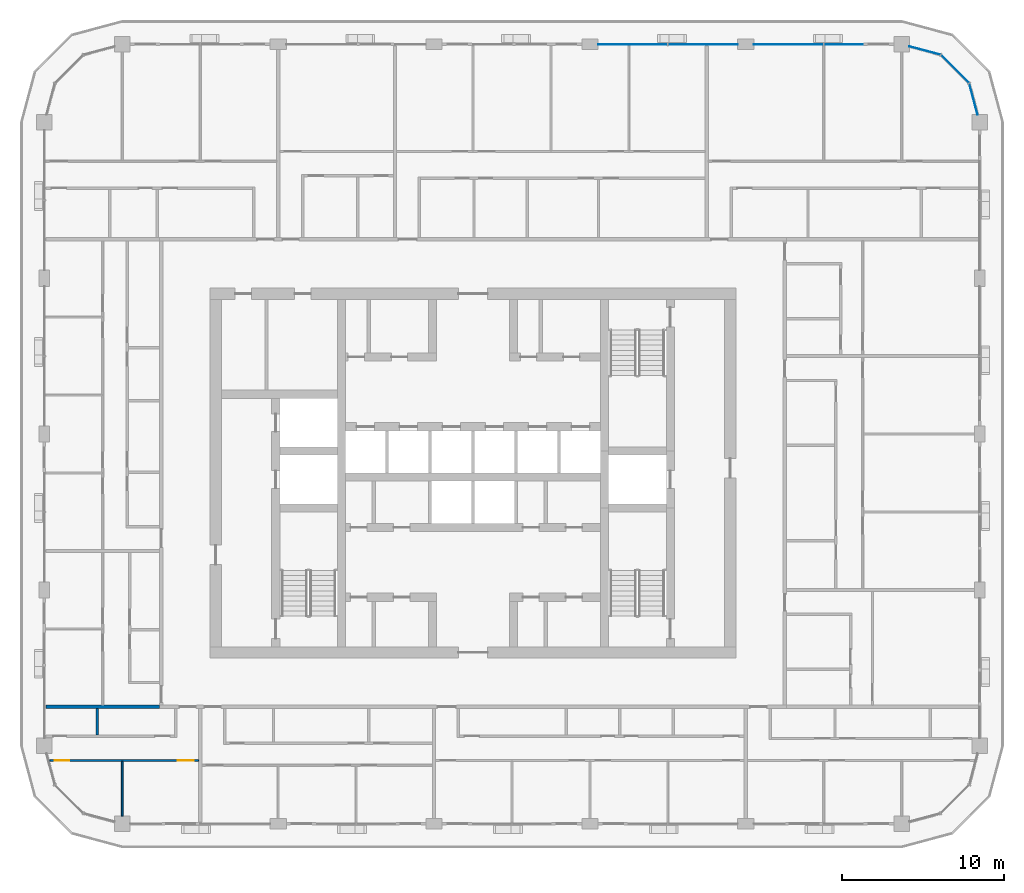
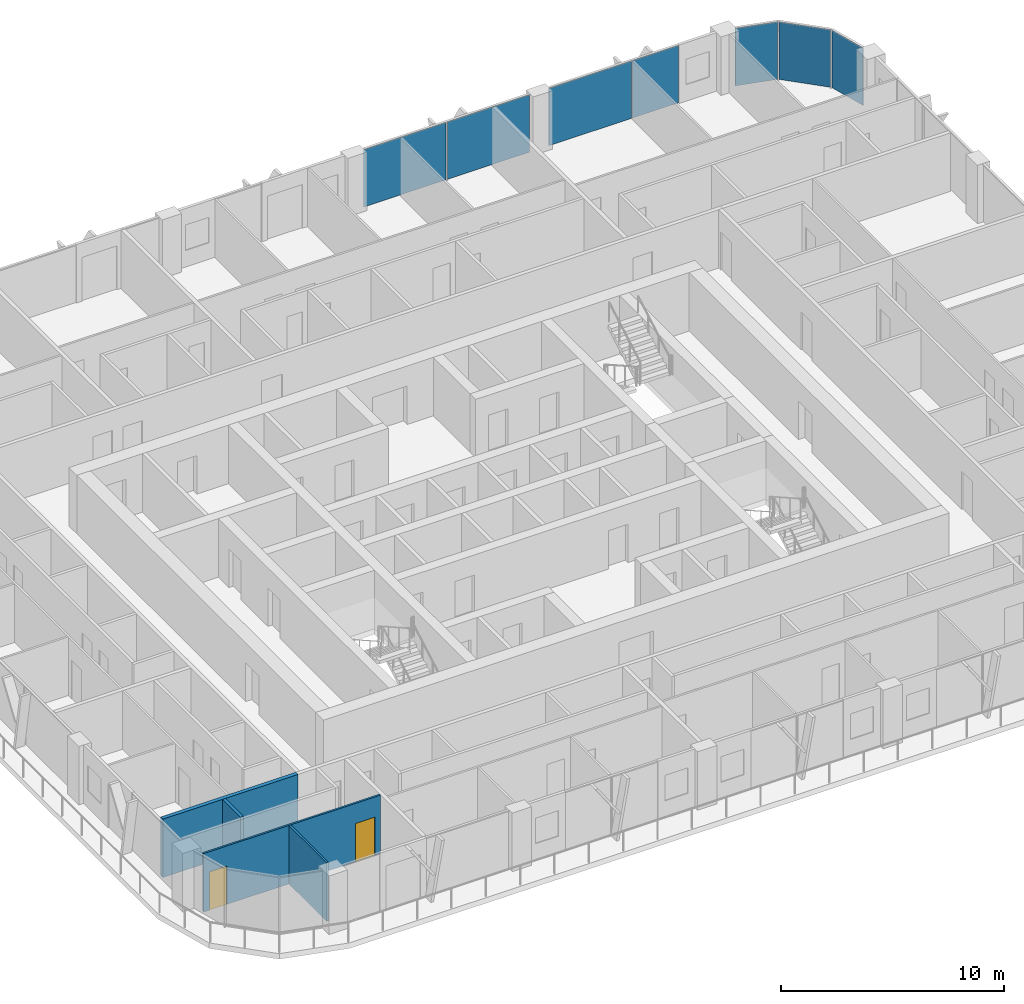
# One storey, part 8 of 23: 7 plates, 4 walls, 2 doors, 2 openings, 3 elements without a shape of their own.
"""IFC4 building model written with IfcOpenShell, lengths in metres."""

from ifc_helpers import new_model, si_unit, direction, frame, frame_2d, origin, origin_2d, place, context, subcontext, project, spatial, rectangle, extrude, material, layer, layer_set, type_object, element, fill, aggregate, save


model = new_model("IFC4")

# Units and contexts
model_context = context("Model", 3, precision=1e-05, world=origin(), true_north=direction((0.0, 1.0)))
body_context = subcontext(model_context, "Body", "Model", "MODEL_VIEW")
ifc_project = project(units=[si_unit("LENGTHUNIT", "METRE"), si_unit("AREAUNIT", "SQUARE_METRE"), si_unit("VOLUMEUNIT", "CUBIC_METRE"), si_unit("PLANEANGLEUNIT", "RADIAN"), si_unit("MASSUNIT", "GRAM", prefix="KILO")], contexts=[model_context])

# Site, building, storey
site_placement = place(None, origin())
site = spatial("IfcSite", under=ifc_project, at=site_placement, CompositionType="ELEMENT")
building_placement = place(site_placement, origin())
building = spatial("IfcBuilding", under=site, at=building_placement, Name="Madar Terraces", CompositionType="ELEMENT")
storey_placement = place(building_placement, frame((0.0, 0.0, 222.800048828125)))
storey = spatial("IfcBuildingStorey", under=building, at=storey_placement, Name="L58", CompositionType="ELEMENT", Elevation=222.800048828125)

# Curtain wall, plates
ifc_material_1 = material(Name="Glass, ceramic frit dark grey, with black aluminium frame", Category="aluminium")
ifc_layer_1 = layer(ifc_material_1, 0.199951171875)
ifc_layer_set_1 = layer_set([ifc_layer_1], Name="Facade curtain wall, fritted glass")
curtain_wall_type = type_object("IfcCurtainWallType", Name="Facade curtain wall, fritted glass", PredefinedType="NOTDEFINED", material=ifc_layer_set_1)
curtain_wall_1_placement = place(storey_placement, origin())
curtain_wall_1 = element("IfcCurtainWall", 1, at=curtain_wall_1_placement, inside=storey, type_object=curtain_wall_type, Name="Outer skin curtain wall north bay 1", PredefinedType="NOTDEFINED")
ifc_material_2 = material(Name="Glass, ceramic frit dark grey", Category="glass")
ifc_layer_2 = layer(ifc_material_2, 0.028076171875)
ifc_layer_set_2 = layer_set([ifc_layer_2], Name="Facade glass panel 28")
plate_type = type_object("IfcPlateType", Name="Facade glass panel 28", PredefinedType="CURTAIN_PANEL", material=ifc_layer_set_2)
plate_1_placement = place(storey_placement, frame((54.014892578125, 52.800048828125, 0.0), z_axis=(0.0, 0.0, 1.0), x_axis=(-1.0, 0.0, 0.0)))
plate_1 = element("IfcPlate", 2, at=plate_1_placement, type_object=plate_type, Name="Panel 1", PredefinedType="CURTAIN_PANEL", context=body_context, shape_type="SweptSolid", body=[
    extrude(rectangle(XDim=2.3701171875, YDim=0.028076171875, at=origin_2d()), origin(), (0.0, 0.0, 1.0), 3.139892578125),
])
plate_2_placement = place(storey_placement, frame((50.635009765625, 52.800048828125, 0.0), z_axis=(0.0, 0.0, 1.0), x_axis=(-1.0, 0.0, 0.0)))
plate_2 = element("IfcPlate", 3, at=plate_2_placement, type_object=plate_type, Name="Panel 2", PredefinedType="CURTAIN_PANEL", context=body_context, shape_type="SweptSolid", body=[
    extrude(rectangle(XDim=4.27001953125, YDim=0.028076171875, at=origin_2d()), origin(), (0.0, 0.0, 1.0), 3.139892578125),
])
aggregate(curtain_wall_1, [plate_1, plate_2])

curtain_wall_2_placement = place(storey_placement, origin())
curtain_wall_2 = element("IfcCurtainWall", 4, at=curtain_wall_2_placement, inside=storey, type_object=curtain_wall_type, Name="Outer skin curtain wall north bay 2", PredefinedType="NOTDEFINED")
plate_3_placement = place(storey_placement, frame((45.364990234375, 52.800048828125, 0.0), z_axis=(0.0, 0.0, 1.0), x_axis=(-1.0, 0.0, 0.0)))
plate_3 = element("IfcPlate", 5, at=plate_3_placement, type_object=plate_type, Name="Panel 1", PredefinedType="CURTAIN_PANEL", context=body_context, shape_type="SweptSolid", body=[
    extrude(rectangle(XDim=4.27001953125, YDim=0.028076171875, at=origin_2d()), origin(), (0.0, 0.0, 1.0), 3.139892578125),
])
plate_4_placement = place(storey_placement, frame((41.034912109375, 52.800048828125, 0.0), z_axis=(0.0, 0.0, 1.0), x_axis=(-1.0, 0.0, 0.0)))
plate_4 = element("IfcPlate", 6, at=plate_4_placement, type_object=plate_type, Name="Panel 2", PredefinedType="CURTAIN_PANEL", context=body_context, shape_type="SweptSolid", body=[
    extrude(rectangle(XDim=4.27001953125, YDim=0.028076171875, at=origin_2d()), origin(), (0.0, 0.0, 1.0), 3.139892578125),
])
aggregate(curtain_wall_2, [plate_3, plate_4])

curtain_wall_3_placement = place(storey_placement, origin())
curtain_wall_3 = element("IfcCurtainWall", 7, at=curtain_wall_3_placement, inside=storey, type_object=curtain_wall_type, Name="Outer skin curtain wall north-east corner", PredefinedType="NOTDEFINED")
plate_5_placement = place(storey_placement, frame((62.018798828125, 49.423095703125, 0.0), z_axis=(0.0, 0.0, 1.0), x_axis=(-0.258819021888, 0.965925832509, 0.0)))
plate_5 = element("IfcPlate", 8, at=plate_5_placement, type_object=plate_type, Name="Panel 1", PredefinedType="CURTAIN_PANEL", context=body_context, shape_type="SweptSolid", body=[
    extrude(rectangle(XDim=1.962890625, YDim=0.028076171875, at=origin_2d()), origin(), (0.0, 0.0, 1.0), 3.139892578125),
])
plate_6_placement = place(storey_placement, frame((60.87841796875, 51.278564453125, 0.0), z_axis=(0.0, 0.0, 1.0), x_axis=(-0.707106781187, 0.707106781187, 0.0)))
plate_6 = element("IfcPlate", 9, at=plate_6_placement, type_object=plate_type, Name="Panel 2", PredefinedType="CURTAIN_PANEL", context=body_context, shape_type="SweptSolid", body=[
    extrude(rectangle(XDim=2.424560546875, YDim=0.028076171875, at=origin_2d()), origin(), (0.0, 0.0, 1.0), 3.139892578125),
])
plate_7_placement = place(storey_placement, frame((59.02294921875, 52.418701171875, 0.0), z_axis=(0.0, 0.0, 1.0), x_axis=(-0.965925832509, 0.258819021888, 0.0)))
plate_7 = element("IfcPlate", 10, at=plate_7_placement, type_object=plate_type, Name="Panel 3", PredefinedType="CURTAIN_PANEL", context=body_context, shape_type="SweptSolid", body=[
    extrude(rectangle(XDim=1.962890625, YDim=0.028076171875, at=origin_2d()), origin(), (0.0, 0.0, 1.0), 3.139892578125),
])
aggregate(curtain_wall_3, [plate_5, plate_6, plate_7])

# Wall
ifc_material_3 = material(Name="Gypsum board on steel studs", Category="steel")
ifc_layer_3 = layer(ifc_material_3, 0.10009765625)
ifc_layer_set_3 = layer_set([ifc_layer_3], Name="Flat partition 100")
wall_type_1 = type_object("IfcWallType", Name="Flat partition 100", PredefinedType="PARTITIONING", material=ifc_layer_set_3)
wall_1_placement = place(storey_placement, frame((9.60009765625, 8.64990234375, 0.0), z_axis=(0.0, 0.0, 1.0), x_axis=(0.0, -1.0, 0.0)))
element("IfcWall", 11, at=wall_1_placement, inside=storey, type_object=wall_type_1, Name="Flat partition 100", PredefinedType="PARTITIONING", context=body_context, shape_type="SweptSolid", body=[
    extrude(rectangle(XDim=3.375, YDim=0.10009765625, at=frame_2d((1.6875, 0.0))), origin(), (0.0, 0.0, 1.0), 3.199951171875),
])

# Wall, openings, doors
wall_2_placement = place(storey_placement, frame((14.300048828125, 8.699951171875, 0.0), z_axis=(0.0, 0.0, 1.0), x_axis=(-1.0, 0.0, 0.0)))
wall_2 = element("IfcWall", 12, at=wall_2_placement, inside=storey, type_object=wall_type_1, Name="Flat partition 100", PredefinedType="PARTITIONING", context=body_context, shape_type="SweptSolid", body=[
    extrude(rectangle(XDim=9.158935546875, YDim=0.10009765625, at=frame_2d((4.57958984375, 0.0))), origin(), (0.0, 0.0, 1.0), 3.199951171875),
])
opening_1_placement = place(wall_2_placement, frame((0.300048828125, 0.0, 0.0)))
opening_1 = element("IfcOpeningElement", 13, at=opening_1_placement, cuts=wall_2, Name="Opening D3", PredefinedType="OPENING", context=body_context, shape_type="SweptSolid", body=[
    extrude(rectangle(XDim=1.0, YDim=2.10009765625, at=frame_2d((0.5, 1.050048828125))), frame((0.0, 0.06005859375, 0.0), z_axis=(0.0, -1.0, 0.0), x_axis=(1.0, 0.0, 0.0)), (0.0, 0.0, 1.0), 0.1201171875),
])
opening_2_placement = place(wall_2_placement, frame((7.958740234375, 0.0, 0.0)))
opening_2 = element("IfcOpeningElement", 14, at=opening_2_placement, cuts=wall_2, Name="Opening D2", PredefinedType="OPENING", context=body_context, shape_type="SweptSolid", body=[
    extrude(rectangle(XDim=0.89990234375, YDim=2.10009765625, at=frame_2d((0.449951171875, 1.050048828125))), frame((0.0, 0.06005859375, 0.0), z_axis=(0.0, -1.0, 0.0), x_axis=(1.0, 0.0, 0.0)), (0.0, 0.0, 1.0), 0.1201171875),
])
ifc_material_4 = material(Name="Timber door leaf", Category="wood")
door_type_1 = type_object("IfcDoorType", Name="Flat living room door 1000", OperationType="NOTDEFINED", PredefinedType="DOOR", material=ifc_material_4)
door_1_placement = place(opening_1_placement, origin())
door_1 = element("IfcDoor", 15, at=door_1_placement, inside=storey, type_object=door_type_1, Name="Flat living room door 1000", OperationType="SINGLE_SWING_LEFT", OverallHeight=2.10009765625, OverallWidth=1.0, PredefinedType="DOOR", context=body_context, shape_type="SweptSolid", body=[
    extrude(rectangle(XDim=1.0, YDim=2.10009765625, at=frame_2d((0.5, 1.050048828125))), frame((0.0, 0.02490234375, 0.0), z_axis=(0.0, -1.0, 0.0), x_axis=(1.0, 0.0, 0.0)), (0.0, 0.0, 1.0), 0.050048828125),
])
fill(opening_1, door_1)
ifc_material_5 = material(Name="Timber door leaf", Category="wood")
door_type_2 = type_object("IfcDoorType", Name="Flat room door 900", OperationType="NOTDEFINED", PredefinedType="DOOR", material=ifc_material_5)
door_2_placement = place(opening_2_placement, origin())
door_2 = element("IfcDoor", 16, at=door_2_placement, inside=storey, type_object=door_type_2, Name="Flat room door 900", OperationType="SINGLE_SWING_RIGHT", OverallHeight=2.10009765625, OverallWidth=0.89990234375, PredefinedType="DOOR", context=body_context, shape_type="SweptSolid", body=[
    extrude(rectangle(XDim=0.89990234375, YDim=2.10009765625, at=frame_2d((0.449951171875, 1.050048828125))), frame((0.0, 0.02490234375, 0.0), z_axis=(0.0, -1.0, 0.0), x_axis=(1.0, 0.0, 0.0)), (0.0, 0.0, 1.0), 0.050048828125),
])
fill(opening_2, door_2)

# Walls
ifc_material_6 = material(Name="Lightweight blockwork", Category="masonry")
ifc_layer_4 = layer(ifc_material_6, 0.199951171875)
ifc_layer_set_4 = layer_set([ifc_layer_4], Name="Flat party and entrance wall 200")
wall_type_2 = type_object("IfcWallType", Name="Flat party and entrance wall 200", PredefinedType="PARTITIONING", material=ifc_layer_set_4)
wall_3_placement = place(storey_placement, frame((4.89990234375, 12.0, 0.0), z_axis=(0.0, 0.0, 1.0), x_axis=(1.0, 0.0, 0.0)))
element("IfcWall", 17, at=wall_3_placement, inside=storey, type_object=wall_type_2, Name="Flat party and entrance wall 200", PredefinedType="PARTITIONING", context=body_context, shape_type="SweptSolid", body=[
    extrude(rectangle(XDim=7.0, YDim=0.199951171875, at=frame_2d((3.5, 0.0))), origin(), (0.0, 0.0, 1.0), 3.199951171875),
])
ifc_material_7 = material(Name="Lightweight blockwork", Category="masonry")
ifc_layer_5 = layer(ifc_material_7, 0.14990234375)
ifc_layer_set_5 = layer_set([ifc_layer_5], Name="Flat wet-room partition 150")
wall_type_3 = type_object("IfcWallType", Name="Flat wet-room partition 150", PredefinedType="PARTITIONING", material=ifc_layer_set_5)
wall_4_placement = place(storey_placement, frame((8.070068359375, 11.89990234375, 0.0), z_axis=(0.0, 0.0, 1.0), x_axis=(0.0, -1.0, 0.0)))
element("IfcWall", 18, at=wall_4_placement, inside=storey, type_object=wall_type_3, Name="Flat wet-room partition 150", PredefinedType="PARTITIONING", context=body_context, shape_type="SweptSolid", body=[
    extrude(rectangle(XDim=1.625, YDim=0.14990234375, at=frame_2d((0.8125, 0.0))), origin(), (0.0, 0.0, 1.0), 3.199951171875),
])

save(model, "model.ifc")
